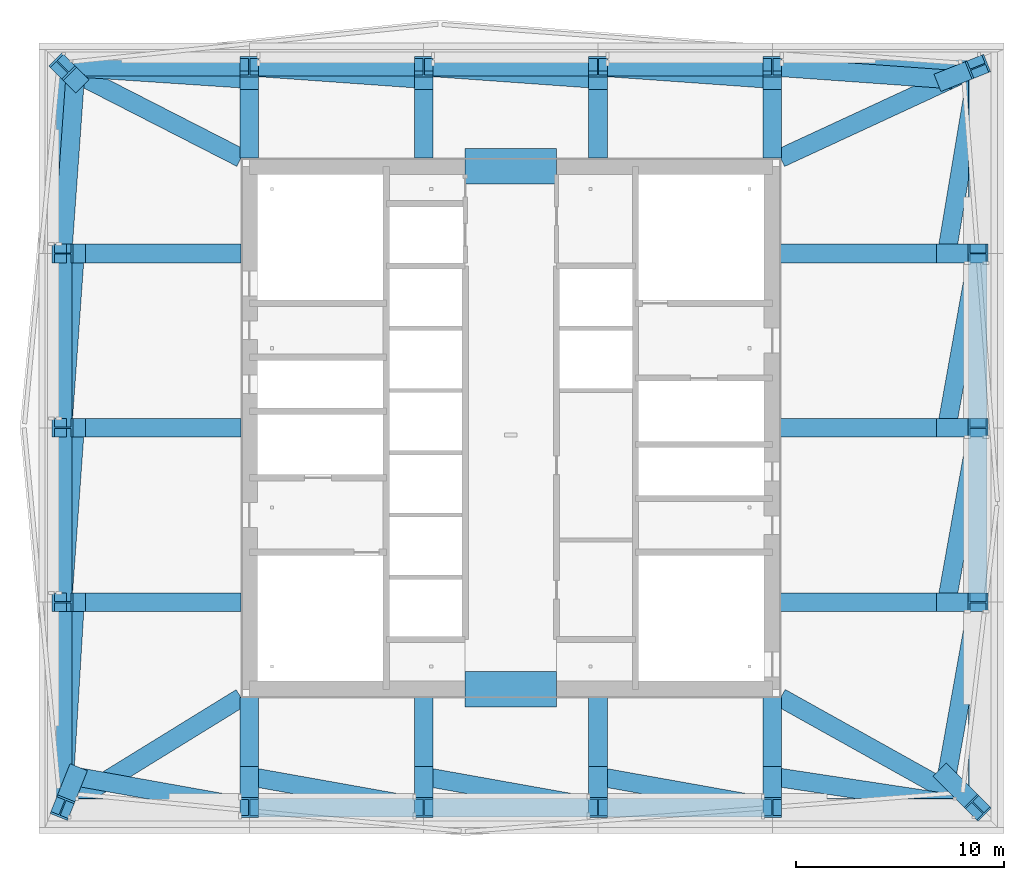
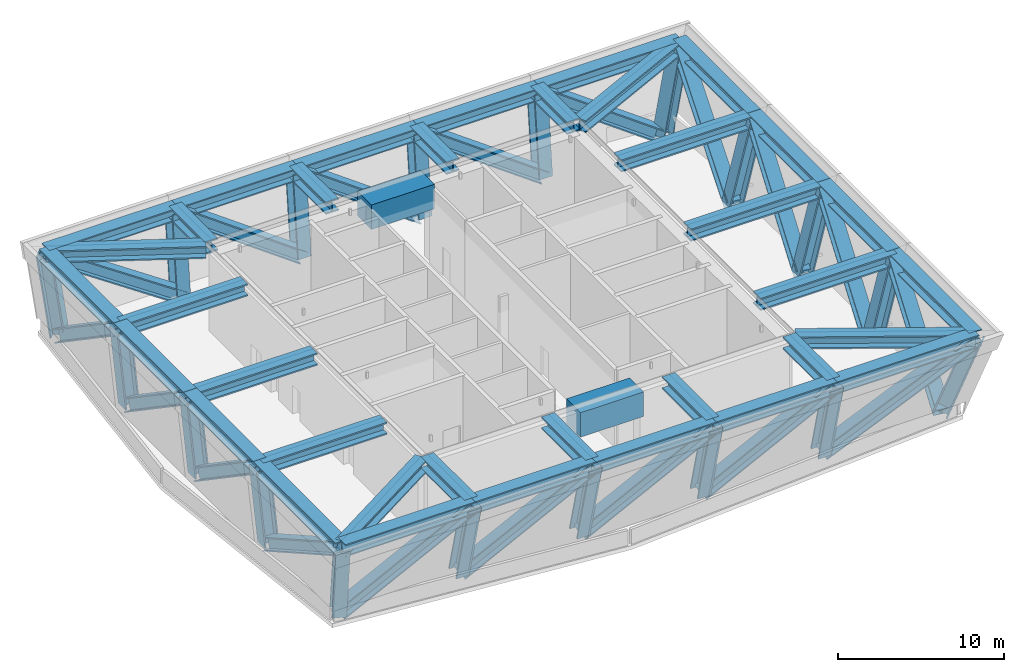
# One storey, part 1 of 7: 72 members, 2 beams.
"""IFC4 building model written with IfcOpenShell, lengths in metres."""

from ifc_helpers import new_model, si_unit, direction, frame, origin, origin_2d, place, context, subcontext, project, spatial, rectangle, i_section, extrude, material, material_profile, profile_set, type_object, element, save


model = new_model("IFC4")

# Units and contexts
model_context = context("Model", 3, precision=1e-05, world=origin(), true_north=direction((0.0, 1.0)))
body_context = subcontext(model_context, "Body", "Model", "MODEL_VIEW")
ifc_project = project(units=[si_unit("LENGTHUNIT", "METRE"), si_unit("AREAUNIT", "SQUARE_METRE"), si_unit("VOLUMEUNIT", "CUBIC_METRE"), si_unit("PLANEANGLEUNIT", "RADIAN"), si_unit("MASSUNIT", "GRAM", prefix="KILO")], contexts=[model_context])

# Site, building, storey
site_placement = place(None, origin())
site = spatial("IfcSite", under=ifc_project, at=site_placement, CompositionType="ELEMENT")
building_placement = place(site_placement, origin())
building = spatial("IfcBuilding", under=site, at=building_placement, Name="Rekha Terrace Tower", CompositionType="ELEMENT")
storey_placement = place(building_placement, frame((0.0, 0.0, 296.75)))
storey = spatial("IfcBuildingStorey", under=building, at=storey_placement, Name="L75", CompositionType="ELEMENT", Elevation=296.75)

# Members
ifc_material_1 = material(Name="Steel E350", Category="steel")
ifc_material_profile_1 = material_profile(ifc_material_1, i_section(OverallWidth=0.89990234375, OverallDepth=1.0, WebThickness=0.06005859375, FlangeThickness=0.10009765625, at=origin_2d()), Name="BU 1000x900x60x100")
ifc_profile_set_1 = profile_set([ifc_material_profile_1], Name="Steel E350")
member_type_1 = type_object("IfcMemberType", Name="CF1 BU 1000x900x60x100 crown frame raked post", PredefinedType="POST", material=ifc_profile_set_1)
member_1_placement = place(storey_placement, frame((16.800048828125, 25.199951171875, 0.0), z_axis=(-0.102043613134, 0.0, 0.994779925923), x_axis=(0.0, -1.0, 0.0)))
element("IfcMember", 1, at=member_1_placement, inside=storey, type_object=member_type_1, Name="Crown frame post 3D", PredefinedType="POST", context=body_context, shape_type="SweptSolid", body=[
    extrude(i_section(OverallWidth=0.89990234375, OverallDepth=1.0, WebThickness=0.06005859375, FlangeThickness=0.10009765625, at=origin_2d()), origin(), (0.0, 0.0, 1.0), 5.880859375),
])
member_2_placement = place(storey_placement, frame((16.800048828125, 16.800048828125, 0.0), z_axis=(-0.098877825023, -0.247154335616, 0.963917999679), x_axis=(0.928455845856, -0.371442784687, 0.0)))
element("IfcMember", 2, at=member_2_placement, inside=storey, type_object=member_type_1, Name="Crown frame post 3C", PredefinedType="POST", context=body_context, shape_type="SweptSolid", body=[
    extrude(i_section(OverallWidth=0.89990234375, OverallDepth=1.0, WebThickness=0.06005859375, FlangeThickness=0.10009765625, at=origin_2d()), origin(), (0.0, 0.0, 1.0), 6.069091796875),
])
for number, where, z_axis, x_axis, name in (
    (3, (25.199951171875, 16.800048828125, 0.0), (0.0, -0.248371459885, 0.96866486357), (1.0, 0.0, 0.0), "Crown frame post 4C"),
    (4, (33.60009765625, 16.800048828125, 0.0), (0.0, -0.248371459885, 0.96866486357), (1.0, 0.0, 0.0), "Crown frame post 5C"),
    (5, (42.0, 16.800048828125, 0.0), (0.0, -0.248371459885, 0.96866486357), (1.0, 0.0, 0.0), "Crown frame post 6C"),
    (6, (50.39990234375, 16.800048828125, 0.0), (0.0, -0.248371459885, 0.96866486357), (1.0, 0.0, 0.0), "Crown frame post 7C"),
):
    element("IfcMember", number, at=place(storey_placement, frame(where, z_axis=z_axis, x_axis=x_axis)), inside=storey, type_object=member_type_1, Name=name, PredefinedType="POST", context=body_context, shape_type="SweptSolid", body=[
        extrude(i_section(OverallWidth=0.89990234375, OverallDepth=1.0, WebThickness=0.06005859375, FlangeThickness=0.10009765625, at=origin_2d()), origin(), (0.0, 0.0, 1.0), 6.039306640625),
    ])
member_3_placement = place(storey_placement, frame((58.800048828125, 16.800048828125, 0.0), z_axis=(0.24104779192, -0.24104779192, 0.940102081702), x_axis=(0.707106781187, 0.707106781187, 0.0)))
element("IfcMember", 7, at=member_3_placement, inside=storey, type_object=member_type_1, Name="Crown frame post 8C", PredefinedType="POST", context=body_context, shape_type="SweptSolid", body=[
    extrude(i_section(OverallWidth=0.89990234375, OverallDepth=1.0, WebThickness=0.06005859375, FlangeThickness=0.10009765625, at=origin_2d()), origin(), (0.0, 0.0, 1.0), 6.222900390625),
])
for number, where, z_axis, x_axis, name in (
    (8, (58.800048828125, 25.199951171875, 0.0), (0.248371459885, 0.0, 0.96866486357), (0.0, 1.0, 0.0), "Crown frame post 8D"),
    (9, (58.800048828125, 33.60009765625, 0.0), (0.248371459885, 0.0, 0.96866486357), (0.0, 1.0, 0.0), "Crown frame post 8E"),
    (10, (58.800048828125, 42.0, 0.0), (0.248371459885, 0.0, 0.96866486357), (0.0, 1.0, 0.0), "Crown frame post 8F"),
):
    element("IfcMember", number, at=place(storey_placement, frame(where, z_axis=z_axis, x_axis=x_axis)), inside=storey, type_object=member_type_1, Name=name, PredefinedType="POST", context=body_context, shape_type="SweptSolid", body=[
        extrude(i_section(OverallWidth=0.89990234375, OverallDepth=1.0, WebThickness=0.06005859375, FlangeThickness=0.10009765625, at=origin_2d()), origin(), (0.0, 0.0, 1.0), 6.039306640625),
    ])
member_4_placement = place(storey_placement, frame((58.800048828125, 50.39990234375, 0.0), z_axis=(0.247154335616, 0.098877825023, 0.963917999679), x_axis=(-0.371442784687, 0.928455845856, 0.0)))
element("IfcMember", 11, at=member_4_placement, inside=storey, type_object=member_type_1, Name="Crown frame post 8G", PredefinedType="POST", context=body_context, shape_type="SweptSolid", body=[
    extrude(i_section(OverallWidth=0.89990234375, OverallDepth=1.0, WebThickness=0.06005859375, FlangeThickness=0.10009765625, at=origin_2d()), origin(), (0.0, 0.0, 1.0), 6.069091796875),
])
for number, where, z_axis, x_axis, name in (
    (12, (50.39990234375, 50.39990234375, 0.0), (0.0, 0.102043613134, 0.994779925923), (-1.0, 0.0, 0.0), "Crown frame post 7G"),
    (13, (42.0, 50.39990234375, 0.0), (0.0, 0.102043613134, 0.994779925923), (-1.0, 0.0, 0.0), "Crown frame post 6G"),
    (14, (33.60009765625, 50.39990234375, 0.0), (0.0, 0.102043613134, 0.994779925923), (-1.0, 0.0, 0.0), "Crown frame post 5G"),
    (15, (25.199951171875, 50.39990234375, 0.0), (0.0, 0.102043613134, 0.994779925923), (-1.0, 0.0, 0.0), "Crown frame post 4G"),
):
    element("IfcMember", number, at=place(storey_placement, frame(where, z_axis=z_axis, x_axis=x_axis)), inside=storey, type_object=member_type_1, Name=name, PredefinedType="POST", context=body_context, shape_type="SweptSolid", body=[
        extrude(i_section(OverallWidth=0.89990234375, OverallDepth=1.0, WebThickness=0.06005859375, FlangeThickness=0.10009765625, at=origin_2d()), origin(), (0.0, 0.0, 1.0), 5.880859375),
    ])
member_5_placement = place(storey_placement, frame((16.800048828125, 50.39990234375, 0.0), z_axis=(-0.1015164417, 0.1015164417, 0.989640755087), x_axis=(-0.707106781187, -0.707106781187, 0.0)))
element("IfcMember", 16, at=member_5_placement, inside=storey, type_object=member_type_1, Name="Crown frame post 3G", PredefinedType="POST", context=body_context, shape_type="SweptSolid", body=[
    extrude(i_section(OverallWidth=0.89990234375, OverallDepth=1.0, WebThickness=0.06005859375, FlangeThickness=0.10009765625, at=origin_2d()), origin(), (0.0, 0.0, 1.0), 5.911376953125),
])
for number, where, z_axis, x_axis, name in (
    (17, (16.800048828125, 42.0, 0.0), (-0.102043613134, 0.0, 0.994779925923), (0.0, -1.0, 0.0), "Crown frame post 3F"),
    (18, (16.800048828125, 33.60009765625, 0.0), (-0.102043613134, 0.0, 0.994779925923), (0.0, -1.0, 0.0), "Crown frame post 3E"),
):
    element("IfcMember", number, at=place(storey_placement, frame(where, z_axis=z_axis, x_axis=x_axis)), inside=storey, type_object=member_type_1, Name=name, PredefinedType="POST", context=body_context, shape_type="SweptSolid", body=[
        extrude(i_section(OverallWidth=0.89990234375, OverallDepth=1.0, WebThickness=0.06005859375, FlangeThickness=0.10009765625, at=origin_2d()), origin(), (0.0, 0.0, 1.0), 5.880859375),
    ])
ifc_material_profile_2 = material_profile(ifc_material_1, i_section(OverallWidth=0.89990234375, OverallDepth=0.89990234375, WebThickness=0.050048828125, FlangeThickness=0.080078125, at=origin_2d()), Name="BU 900x900x50x80")
ifc_profile_set_2 = profile_set([ifc_material_profile_2], Name="Steel E350")
member_type_2 = type_object("IfcMemberType", Name="CF2 BU 900x900x50x80 crown frame ring chord", PredefinedType="CHORD", material=ifc_profile_set_2)
member_6_placement = place(storey_placement, frame((16.199951171875, 25.199951171875, 5.85009765625), z_axis=(0.0, -1.0, 0.0), x_axis=(1.0, 0.0, 0.0)))
element("IfcMember", 19, at=member_6_placement, inside=storey, type_object=member_type_2, Name="Crown frame ring chord 3D-3C", PredefinedType="CHORD", context=body_context, shape_type="SweptSolid", body=[
    extrude(i_section(OverallWidth=0.89990234375, OverallDepth=0.89990234375, WebThickness=0.050048828125, FlangeThickness=0.080078125, at=origin_2d()), origin(), (0.0, 0.0, 1.0), 9.89990234375),
])
member_7_placement = place(storey_placement, frame((16.199951171875, 15.300048828125, 5.85009765625), z_axis=(1.0, 0.0, 0.0), x_axis=(0.0, 1.0, 0.0)))
element("IfcMember", 20, at=member_7_placement, inside=storey, type_object=member_type_2, Name="Crown frame ring chord 3C-4C", PredefinedType="CHORD", context=body_context, shape_type="SweptSolid", body=[
    extrude(i_section(OverallWidth=0.89990234375, OverallDepth=0.89990234375, WebThickness=0.050048828125, FlangeThickness=0.080078125, at=origin_2d()), origin(), (0.0, 0.0, 1.0), 9.0),
])
member_8_placement = place(storey_placement, frame((25.199951171875, 15.300048828125, 5.85009765625), z_axis=(1.0, 0.0, 0.0), x_axis=(0.0, 1.0, 0.0)))
element("IfcMember", 21, at=member_8_placement, inside=storey, type_object=member_type_2, Name="Crown frame ring chord 4C-5C", PredefinedType="CHORD", context=body_context, shape_type="SweptSolid", body=[
    extrude(i_section(OverallWidth=0.89990234375, OverallDepth=0.89990234375, WebThickness=0.050048828125, FlangeThickness=0.080078125, at=origin_2d()), origin(), (0.0, 0.0, 1.0), 8.400146484375),
])
for number, where, z_axis, x_axis, name in (
    (22, (33.60009765625, 15.300048828125, 5.85009765625), (1.0, 0.0, 0.0), (0.0, 1.0, 0.0), "Crown frame ring chord 5C-6C"),
    (23, (42.0, 15.300048828125, 5.85009765625), (1.0, 0.0, 0.0), (0.0, 1.0, 0.0), "Crown frame ring chord 6C-7C"),
):
    element("IfcMember", number, at=place(storey_placement, frame(where, z_axis=z_axis, x_axis=x_axis)), inside=storey, type_object=member_type_2, Name=name, PredefinedType="CHORD", context=body_context, shape_type="SweptSolid", body=[
        extrude(i_section(OverallWidth=0.89990234375, OverallDepth=0.89990234375, WebThickness=0.050048828125, FlangeThickness=0.080078125, at=origin_2d()), origin(), (0.0, 0.0, 1.0), 8.39990234375),
    ])
member_9_placement = place(storey_placement, frame((50.39990234375, 15.300048828125, 5.85009765625), z_axis=(1.0, 0.0, 0.0), x_axis=(0.0, 1.0, 0.0)))
element("IfcMember", 24, at=member_9_placement, inside=storey, type_object=member_type_2, Name="Crown frame ring chord 7C-8C", PredefinedType="CHORD", context=body_context, shape_type="SweptSolid", body=[
    extrude(i_section(OverallWidth=0.89990234375, OverallDepth=0.89990234375, WebThickness=0.050048828125, FlangeThickness=0.080078125, at=origin_2d()), origin(), (0.0, 0.0, 1.0), 9.900146484375),
])
member_10_placement = place(storey_placement, frame((60.300048828125, 15.300048828125, 5.85009765625), z_axis=(0.0, 1.0, 0.0), x_axis=(-1.0, 0.0, 0.0)))
element("IfcMember", 25, at=member_10_placement, inside=storey, type_object=member_type_2, Name="Crown frame ring chord 8C-8D", PredefinedType="CHORD", context=body_context, shape_type="SweptSolid", body=[
    extrude(i_section(OverallWidth=0.89990234375, OverallDepth=0.89990234375, WebThickness=0.050048828125, FlangeThickness=0.080078125, at=origin_2d()), origin(), (0.0, 0.0, 1.0), 9.89990234375),
])
member_11_placement = place(storey_placement, frame((60.300048828125, 25.199951171875, 5.85009765625), z_axis=(0.0, 1.0, 0.0), x_axis=(-1.0, 0.0, 0.0)))
element("IfcMember", 26, at=member_11_placement, inside=storey, type_object=member_type_2, Name="Crown frame ring chord 8D-8E", PredefinedType="CHORD", context=body_context, shape_type="SweptSolid", body=[
    extrude(i_section(OverallWidth=0.89990234375, OverallDepth=0.89990234375, WebThickness=0.050048828125, FlangeThickness=0.080078125, at=origin_2d()), origin(), (0.0, 0.0, 1.0), 8.400146484375),
])
member_12_placement = place(storey_placement, frame((60.300048828125, 33.60009765625, 5.85009765625), z_axis=(0.0, 1.0, 0.0), x_axis=(-1.0, 0.0, 0.0)))
element("IfcMember", 27, at=member_12_placement, inside=storey, type_object=member_type_2, Name="Crown frame ring chord 8E-8F", PredefinedType="CHORD", context=body_context, shape_type="SweptSolid", body=[
    extrude(i_section(OverallWidth=0.89990234375, OverallDepth=0.89990234375, WebThickness=0.050048828125, FlangeThickness=0.080078125, at=origin_2d()), origin(), (0.0, 0.0, 1.0), 8.39990234375),
])
member_13_placement = place(storey_placement, frame((60.300048828125, 42.0, 5.85009765625), z_axis=(0.0, 1.0, 0.0), x_axis=(-1.0, 0.0, 0.0)))
element("IfcMember", 28, at=member_13_placement, inside=storey, type_object=member_type_2, Name="Crown frame ring chord 8F-8G", PredefinedType="CHORD", context=body_context, shape_type="SweptSolid", body=[
    extrude(i_section(OverallWidth=0.89990234375, OverallDepth=0.89990234375, WebThickness=0.050048828125, FlangeThickness=0.080078125, at=origin_2d()), origin(), (0.0, 0.0, 1.0), 9.0),
])
member_14_placement = place(storey_placement, frame((60.300048828125, 51.0, 5.85009765625), z_axis=(-1.0, 0.0, 0.0), x_axis=(0.0, -1.0, 0.0)))
element("IfcMember", 29, at=member_14_placement, inside=storey, type_object=member_type_2, Name="Crown frame ring chord 8G-7G", PredefinedType="CHORD", context=body_context, shape_type="SweptSolid", body=[
    extrude(i_section(OverallWidth=0.89990234375, OverallDepth=0.89990234375, WebThickness=0.050048828125, FlangeThickness=0.080078125, at=origin_2d()), origin(), (0.0, 0.0, 1.0), 9.900146484375),
])
for number, where, z_axis, x_axis, name in (
    (30, (50.39990234375, 51.0, 5.85009765625), (-1.0, 0.0, 0.0), (0.0, -1.0, 0.0), "Crown frame ring chord 7G-6G"),
    (31, (42.0, 51.0, 5.85009765625), (-1.0, 0.0, 0.0), (0.0, -1.0, 0.0), "Crown frame ring chord 6G-5G"),
):
    element("IfcMember", number, at=place(storey_placement, frame(where, z_axis=z_axis, x_axis=x_axis)), inside=storey, type_object=member_type_2, Name=name, PredefinedType="CHORD", context=body_context, shape_type="SweptSolid", body=[
        extrude(i_section(OverallWidth=0.89990234375, OverallDepth=0.89990234375, WebThickness=0.050048828125, FlangeThickness=0.080078125, at=origin_2d()), origin(), (0.0, 0.0, 1.0), 8.39990234375),
    ])
member_15_placement = place(storey_placement, frame((33.60009765625, 51.0, 5.85009765625), z_axis=(-1.0, 0.0, 0.0), x_axis=(0.0, -1.0, 0.0)))
element("IfcMember", 32, at=member_15_placement, inside=storey, type_object=member_type_2, Name="Crown frame ring chord 5G-4G", PredefinedType="CHORD", context=body_context, shape_type="SweptSolid", body=[
    extrude(i_section(OverallWidth=0.89990234375, OverallDepth=0.89990234375, WebThickness=0.050048828125, FlangeThickness=0.080078125, at=origin_2d()), origin(), (0.0, 0.0, 1.0), 8.400146484375),
])
for number, where, z_axis, x_axis, name in (
    (33, (25.199951171875, 51.0, 5.85009765625), (-1.0, 0.0, 0.0), (0.0, -1.0, 0.0), "Crown frame ring chord 4G-3G"),
    (34, (16.199951171875, 51.0, 5.85009765625), (0.0, -1.0, 0.0), (1.0, 0.0, 0.0), "Crown frame ring chord 3G-3F"),
):
    element("IfcMember", number, at=place(storey_placement, frame(where, z_axis=z_axis, x_axis=x_axis)), inside=storey, type_object=member_type_2, Name=name, PredefinedType="CHORD", context=body_context, shape_type="SweptSolid", body=[
        extrude(i_section(OverallWidth=0.89990234375, OverallDepth=0.89990234375, WebThickness=0.050048828125, FlangeThickness=0.080078125, at=origin_2d()), origin(), (0.0, 0.0, 1.0), 9.0),
    ])
member_16_placement = place(storey_placement, frame((16.199951171875, 42.0, 5.85009765625), z_axis=(0.0, -1.0, 0.0), x_axis=(1.0, 0.0, 0.0)))
element("IfcMember", 35, at=member_16_placement, inside=storey, type_object=member_type_2, Name="Crown frame ring chord 3F-3E", PredefinedType="CHORD", context=body_context, shape_type="SweptSolid", body=[
    extrude(i_section(OverallWidth=0.89990234375, OverallDepth=0.89990234375, WebThickness=0.050048828125, FlangeThickness=0.080078125, at=origin_2d()), origin(), (0.0, 0.0, 1.0), 8.39990234375),
])
member_17_placement = place(storey_placement, frame((16.199951171875, 33.60009765625, 5.85009765625), z_axis=(0.0, -1.0, 0.0), x_axis=(1.0, 0.0, 0.0)))
element("IfcMember", 36, at=member_17_placement, inside=storey, type_object=member_type_2, Name="Crown frame ring chord 3E-3D", PredefinedType="CHORD", context=body_context, shape_type="SweptSolid", body=[
    extrude(i_section(OverallWidth=0.89990234375, OverallDepth=0.89990234375, WebThickness=0.050048828125, FlangeThickness=0.080078125, at=origin_2d()), origin(), (0.0, 0.0, 1.0), 8.400146484375),
])
ifc_material_profile_3 = material_profile(ifc_material_1, i_section(OverallWidth=0.89990234375, OverallDepth=0.89990234375, WebThickness=0.050048828125, FlangeThickness=0.080078125, at=origin_2d()), Name="BU 900x900x50x80")
ifc_profile_set_3 = profile_set([ifc_material_profile_3], Name="Steel E350")
member_type_3 = type_object("IfcMemberType", Name="CF3 BU 900x900x50x80 crown frame brace", PredefinedType="BRACE", material=ifc_profile_set_3)
member_18_placement = place(storey_placement, frame((16.800048828125, 25.199951171875, 0.0), z_axis=(-0.052115097483, -0.859750692815, 0.508047992632), x_axis=(0.998167865982, -0.060505465218, 0.0)))
element("IfcMember", 37, at=member_18_placement, inside=storey, type_object=member_type_3, Name="Crown frame brace 3D-3C", PredefinedType="BRACE", context=body_context, shape_type="SweptSolid", body=[
    extrude(i_section(OverallWidth=0.89990234375, OverallDepth=0.89990234375, WebThickness=0.050048828125, FlangeThickness=0.080078125, at=origin_2d()), origin(), (0.0, 0.0, 1.0), 11.514892578125),
])
member_19_placement = place(storey_placement, frame((16.800048828125, 16.800048828125, 0.0), z_axis=(0.811927801842, -0.144988793074, 0.565465732365), x_axis=(0.175792619048, 0.984427221834, 0.0)))
element("IfcMember", 38, at=member_19_placement, inside=storey, type_object=member_type_3, Name="Crown frame brace 3C-4C", PredefinedType="BRACE", context=body_context, shape_type="SweptSolid", body=[
    extrude(i_section(OverallWidth=0.89990234375, OverallDepth=0.89990234375, WebThickness=0.050048828125, FlangeThickness=0.080078125, at=origin_2d()), origin(), (0.0, 0.0, 1.0), 10.345703125),
])
member_20_placement = place(storey_placement, frame((25.199951171875, 16.800048828125, 0.0), z_axis=(0.811935843327, -0.144986015096, 0.565454898067), x_axis=(0.17578766772, 0.984428105997, 0.0)))
element("IfcMember", 39, at=member_20_placement, inside=storey, type_object=member_type_3, Name="Crown frame brace 4C-5C", PredefinedType="BRACE", context=body_context, shape_type="SweptSolid", body=[
    extrude(i_section(OverallWidth=0.89990234375, OverallDepth=0.89990234375, WebThickness=0.050048828125, FlangeThickness=0.080078125, at=origin_2d()), origin(), (0.0, 0.0, 1.0), 10.345947265625),
])
for number, where, z_axis, x_axis, name in (
    (40, (33.60009765625, 16.800048828125, 0.0), (0.811927801842, -0.144988793074, 0.565465732365), (0.175792619048, 0.984427221834, 0.0), "Crown frame brace 5C-6C"),
    (41, (42.0, 16.800048828125, 0.0), (0.811927801842, -0.144988793074, 0.565465732365), (0.175792619048, 0.984427221834, 0.0), "Crown frame brace 6C-7C"),
):
    element("IfcMember", number, at=place(storey_placement, frame(where, z_axis=z_axis, x_axis=x_axis)), inside=storey, type_object=member_type_3, Name=name, PredefinedType="BRACE", context=body_context, shape_type="SweptSolid", body=[
        extrude(i_section(OverallWidth=0.89990234375, OverallDepth=0.89990234375, WebThickness=0.050048828125, FlangeThickness=0.080078125, at=origin_2d()), origin(), (0.0, 0.0, 1.0), 10.345703125),
    ])
member_21_placement = place(storey_placement, frame((50.39990234375, 16.800048828125, 0.0), z_axis=(0.853693953609, -0.129345654878, 0.504456474967), x_axis=(0.149803212622, 0.988715832526, 0.0)))
element("IfcMember", 42, at=member_21_placement, inside=storey, type_object=member_type_3, Name="Crown frame brace 7C-8C", PredefinedType="BRACE", context=body_context, shape_type="SweptSolid", body=[
    extrude(i_section(OverallWidth=0.89990234375, OverallDepth=0.89990234375, WebThickness=0.050048828125, FlangeThickness=0.080078125, at=origin_2d()), origin(), (0.0, 0.0, 1.0), 11.596923828125),
])
member_22_placement = place(storey_placement, frame((58.800048828125, 16.800048828125, 0.0), z_axis=(0.144988793074, 0.811927801842, 0.565465732365), x_axis=(-0.984427221834, 0.175792619048, 0.0)))
element("IfcMember", 43, at=member_22_placement, inside=storey, type_object=member_type_3, Name="Crown frame brace 8C-8D", PredefinedType="BRACE", context=body_context, shape_type="SweptSolid", body=[
    extrude(i_section(OverallWidth=0.89990234375, OverallDepth=0.89990234375, WebThickness=0.050048828125, FlangeThickness=0.080078125, at=origin_2d()), origin(), (0.0, 0.0, 1.0), 10.345703125),
])
member_23_placement = place(storey_placement, frame((58.800048828125, 25.199951171875, 0.0), z_axis=(0.144986015096, 0.811935843327, 0.565454898067), x_axis=(-0.984428105997, 0.17578766772, 0.0)))
element("IfcMember", 44, at=member_23_placement, inside=storey, type_object=member_type_3, Name="Crown frame brace 8D-8E", PredefinedType="BRACE", context=body_context, shape_type="SweptSolid", body=[
    extrude(i_section(OverallWidth=0.89990234375, OverallDepth=0.89990234375, WebThickness=0.050048828125, FlangeThickness=0.080078125, at=origin_2d()), origin(), (0.0, 0.0, 1.0), 10.345947265625),
])
member_24_placement = place(storey_placement, frame((58.800048828125, 33.60009765625, 0.0), z_axis=(0.144988793074, 0.811927801842, 0.565465732365), x_axis=(-0.984427221834, 0.175792619048, 0.0)))
element("IfcMember", 45, at=member_24_placement, inside=storey, type_object=member_type_3, Name="Crown frame brace 8E-8F", PredefinedType="BRACE", context=body_context, shape_type="SweptSolid", body=[
    extrude(i_section(OverallWidth=0.89990234375, OverallDepth=0.89990234375, WebThickness=0.050048828125, FlangeThickness=0.080078125, at=origin_2d()), origin(), (0.0, 0.0, 1.0), 10.345703125),
])
member_25_placement = place(storey_placement, frame((58.800048828125, 42.0, 0.0), z_axis=(0.138395204371, 0.830371226223, 0.539750307149), x_axis=(-0.986393923832, 0.164398987305, 0.0)))
element("IfcMember", 46, at=member_25_placement, inside=storey, type_object=member_type_3, Name="Crown frame brace 8F-8G", PredefinedType="BRACE", context=body_context, shape_type="SweptSolid", body=[
    extrude(i_section(OverallWidth=0.89990234375, OverallDepth=0.89990234375, WebThickness=0.050048828125, FlangeThickness=0.080078125, at=origin_2d()), origin(), (0.0, 0.0, 1.0), 10.838623046875),
])
member_26_placement = place(storey_placement, frame((58.800048828125, 50.39990234375, 0.0), z_axis=(-0.819200154866, 0.058522800031, 0.570513968404), x_axis=(-0.071257350989, -0.997457963991, 0.0)))
element("IfcMember", 47, at=member_26_placement, inside=storey, type_object=member_type_3, Name="Crown frame brace 8G-7G", PredefinedType="BRACE", context=body_context, shape_type="SweptSolid", body=[
    extrude(i_section(OverallWidth=0.89990234375, OverallDepth=0.89990234375, WebThickness=0.050048828125, FlangeThickness=0.080078125, at=origin_2d()), origin(), (0.0, 0.0, 1.0), 10.254150390625),
])
for number, where, z_axis, x_axis, name in (
    (48, (50.39990234375, 50.39990234375, 0.0), (-0.819192323555, 0.058523941501, 0.570525096118), (-0.071259411546, -0.997457816785, 0.0), "Crown frame brace 7G-6G"),
    (49, (42.0, 50.39990234375, 0.0), (-0.819192323555, 0.058523941501, 0.570525096118), (-0.071259411546, -0.997457816785, 0.0), "Crown frame brace 6G-5G"),
):
    element("IfcMember", number, at=place(storey_placement, frame(where, z_axis=z_axis, x_axis=x_axis)), inside=storey, type_object=member_type_3, Name=name, PredefinedType="BRACE", context=body_context, shape_type="SweptSolid", body=[
        extrude(i_section(OverallWidth=0.89990234375, OverallDepth=0.89990234375, WebThickness=0.050048828125, FlangeThickness=0.080078125, at=origin_2d()), origin(), (0.0, 0.0, 1.0), 10.25390625),
    ])
member_27_placement = place(storey_placement, frame((33.60009765625, 50.39990234375, 0.0), z_axis=(-0.819200154866, 0.058522800031, 0.570513968404), x_axis=(-0.071257350989, -0.997457963991, 0.0)))
element("IfcMember", 50, at=member_27_placement, inside=storey, type_object=member_type_3, Name="Crown frame brace 5G-4G", PredefinedType="BRACE", context=body_context, shape_type="SweptSolid", body=[
    extrude(i_section(OverallWidth=0.89990234375, OverallDepth=0.89990234375, WebThickness=0.050048828125, FlangeThickness=0.080078125, at=origin_2d()), origin(), (0.0, 0.0, 1.0), 10.254150390625),
])
member_28_placement = place(storey_placement, frame((25.199951171875, 50.39990234375, 0.0), z_axis=(-0.837132303152, 0.055817903677, 0.544145080515), x_axis=(-0.066529789268, -0.997784439215, 0.0)))
element("IfcMember", 51, at=member_28_placement, inside=storey, type_object=member_type_3, Name="Crown frame brace 4G-3G", PredefinedType="BRACE", context=body_context, shape_type="SweptSolid", body=[
    extrude(i_section(OverallWidth=0.89990234375, OverallDepth=0.89990234375, WebThickness=0.050048828125, FlangeThickness=0.080078125, at=origin_2d()), origin(), (0.0, 0.0, 1.0), 10.7509765625),
])
for number, where, z_axis, x_axis, name in (
    (52, (16.800048828125, 50.39990234375, 0.0), (-0.058523941501, -0.819192323555, 0.570525096118), (0.997457816785, -0.071259411546, 0.0), "Crown frame brace 3G-3F"),
    (53, (16.800048828125, 42.0, 0.0), (-0.058523941501, -0.819192323555, 0.570525096118), (0.997457816785, -0.071259411546, 0.0), "Crown frame brace 3F-3E"),
):
    element("IfcMember", number, at=place(storey_placement, frame(where, z_axis=z_axis, x_axis=x_axis)), inside=storey, type_object=member_type_3, Name=name, PredefinedType="BRACE", context=body_context, shape_type="SweptSolid", body=[
        extrude(i_section(OverallWidth=0.89990234375, OverallDepth=0.89990234375, WebThickness=0.050048828125, FlangeThickness=0.080078125, at=origin_2d()), origin(), (0.0, 0.0, 1.0), 10.25390625),
    ])
member_29_placement = place(storey_placement, frame((16.800048828125, 33.60009765625, 0.0), z_axis=(-0.058522800031, -0.819200154866, 0.570513968404), x_axis=(0.997457963991, -0.071257350989, 0.0)))
element("IfcMember", 54, at=member_29_placement, inside=storey, type_object=member_type_3, Name="Crown frame brace 3E-3D", PredefinedType="BRACE", context=body_context, shape_type="SweptSolid", body=[
    extrude(i_section(OverallWidth=0.89990234375, OverallDepth=0.89990234375, WebThickness=0.050048828125, FlangeThickness=0.080078125, at=origin_2d()), origin(), (0.0, 0.0, 1.0), 10.254150390625),
])
ifc_material_profile_4 = material_profile(ifc_material_1, i_section(OverallWidth=0.89990234375, OverallDepth=0.89990234375, WebThickness=0.06005859375, FlangeThickness=0.10009765625, at=origin_2d()), Name="BU 900x900x60x100")
ifc_profile_set_4 = profile_set([ifc_material_profile_4], Name="Steel E350")
member_type_4 = type_object("IfcMemberType", Name="CF4 BU 900x900x60x100 crown frame tie", PredefinedType="STRUT", material=ifc_profile_set_4)
member_30_placement = place(storey_placement, frame((16.199951171875, 25.199951171875, 5.85009765625), z_axis=(1.0, 0.0, 0.0), x_axis=(0.0, 1.0, 0.0)))
element("IfcMember", 55, at=member_30_placement, inside=storey, type_object=member_type_4, Name="Crown frame tie 3D", PredefinedType="STRUT", context=body_context, shape_type="SweptSolid", body=[
    extrude(i_section(OverallWidth=0.89990234375, OverallDepth=0.89990234375, WebThickness=0.06005859375, FlangeThickness=0.10009765625, at=origin_2d()), origin(), (0.0, 0.0, 1.0), 8.60009765625),
])
member_31_placement = place(storey_placement, frame((16.199951171875, 15.300048828125, 5.85009765625), z_axis=(0.851318758144, 0.524648808282, 0.0), x_axis=(-0.524648808282, 0.851318758144, 0.0)))
element("IfcMember", 56, at=member_31_placement, inside=storey, type_object=member_type_4, Name="Crown frame tie 3C", PredefinedType="STRUT", context=body_context, shape_type="SweptSolid", body=[
    extrude(i_section(OverallWidth=0.89990234375, OverallDepth=0.89990234375, WebThickness=0.06005859375, FlangeThickness=0.10009765625, at=origin_2d()), origin(), (0.0, 0.0, 1.0), 10.10205078125),
])
for number, where, z_axis, x_axis, name in (
    (57, (25.199951171875, 15.300048828125, 5.85009765625), (0.0, 1.0, 0.0), (-1.0, 0.0, 0.0), "Crown frame tie 4C"),
    (58, (33.60009765625, 15.300048828125, 5.85009765625), (0.0, 1.0, 0.0), (-1.0, 0.0, 0.0), "Crown frame tie 5C"),
    (59, (42.0, 15.300048828125, 5.85009765625), (0.0, 1.0, 0.0), (-1.0, 0.0, 0.0), "Crown frame tie 6C"),
    (60, (50.39990234375, 15.300048828125, 5.85009765625), (0.0, 1.0, 0.0), (-1.0, 0.0, 0.0), "Crown frame tie 7C"),
):
    element("IfcMember", number, at=place(storey_placement, frame(where, z_axis=z_axis, x_axis=x_axis)), inside=storey, type_object=member_type_4, Name=name, PredefinedType="STRUT", context=body_context, shape_type="SweptSolid", body=[
        extrude(i_section(OverallWidth=0.89990234375, OverallDepth=0.89990234375, WebThickness=0.06005859375, FlangeThickness=0.10009765625, at=origin_2d()), origin(), (0.0, 0.0, 1.0), 5.300048828125),
    ])
member_32_placement = place(storey_placement, frame((60.300048828125, 15.300048828125, 5.85009765625), z_axis=(-0.873286754509, 0.487206572616, 0.0), x_axis=(-0.487206572616, -0.873286754509, 0.0)))
element("IfcMember", 61, at=member_32_placement, inside=storey, type_object=member_type_4, Name="Crown frame tie 8C", PredefinedType="STRUT", context=body_context, shape_type="SweptSolid", body=[
    extrude(i_section(OverallWidth=0.89990234375, OverallDepth=0.89990234375, WebThickness=0.06005859375, FlangeThickness=0.10009765625, at=origin_2d()), origin(), (0.0, 0.0, 1.0), 10.87841796875),
])
for number, where, z_axis, x_axis, name in (
    (62, (60.300048828125, 25.199951171875, 5.85009765625), (-1.0, 0.0, 0.0), (0.0, -1.0, 0.0), "Crown frame tie 8D"),
    (63, (60.300048828125, 33.60009765625, 5.85009765625), (-1.0, 0.0, 0.0), (0.0, -1.0, 0.0), "Crown frame tie 8E"),
    (64, (60.300048828125, 42.0, 5.85009765625), (-1.0, 0.0, 0.0), (0.0, -1.0, 0.0), "Crown frame tie 8F"),
):
    element("IfcMember", number, at=place(storey_placement, frame(where, z_axis=z_axis, x_axis=x_axis)), inside=storey, type_object=member_type_4, Name=name, PredefinedType="STRUT", context=body_context, shape_type="SweptSolid", body=[
        extrude(i_section(OverallWidth=0.89990234375, OverallDepth=0.89990234375, WebThickness=0.06005859375, FlangeThickness=0.10009765625, at=origin_2d()), origin(), (0.0, 0.0, 1.0), 9.5),
    ])
member_33_placement = place(storey_placement, frame((60.300048828125, 51.0, 5.85009765625), z_axis=(-0.907403016988, -0.420261543281, 0.0), x_axis=(0.420261543281, -0.907403016988, 0.0)))
element("IfcMember", 65, at=member_33_placement, inside=storey, type_object=member_type_4, Name="Crown frame tie 8G", PredefinedType="STRUT", context=body_context, shape_type="SweptSolid", body=[
    extrude(i_section(OverallWidth=0.89990234375, OverallDepth=0.89990234375, WebThickness=0.06005859375, FlangeThickness=0.10009765625, at=origin_2d()), origin(), (0.0, 0.0, 1.0), 10.469482421875),
])
for number, where, z_axis, x_axis, name in (
    (66, (50.39990234375, 51.0, 5.85009765625), (0.0, -1.0, 0.0), (1.0, 0.0, 0.0), "Crown frame tie 7G"),
    (67, (42.0, 51.0, 5.85009765625), (0.0, -1.0, 0.0), (1.0, 0.0, 0.0), "Crown frame tie 6G"),
    (68, (33.60009765625, 51.0, 5.85009765625), (0.0, -1.0, 0.0), (1.0, 0.0, 0.0), "Crown frame tie 5G"),
    (69, (25.199951171875, 51.0, 5.85009765625), (0.0, -1.0, 0.0), (1.0, 0.0, 0.0), "Crown frame tie 4G"),
):
    element("IfcMember", number, at=place(storey_placement, frame(where, z_axis=z_axis, x_axis=x_axis)), inside=storey, type_object=member_type_4, Name=name, PredefinedType="STRUT", context=body_context, shape_type="SweptSolid", body=[
        extrude(i_section(OverallWidth=0.89990234375, OverallDepth=0.89990234375, WebThickness=0.06005859375, FlangeThickness=0.10009765625, at=origin_2d()), origin(), (0.0, 0.0, 1.0), 4.39990234375),
    ])
member_34_placement = place(storey_placement, frame((16.199951171875, 51.0, 5.85009765625), z_axis=(0.89025435919, -0.455463693332, 0.0), x_axis=(0.455463693332, 0.89025435919, 0.0)))
element("IfcMember", 70, at=member_34_placement, inside=storey, type_object=member_type_4, Name="Crown frame tie 3G", PredefinedType="STRUT", context=body_context, shape_type="SweptSolid", body=[
    extrude(i_section(OverallWidth=0.89990234375, OverallDepth=0.89990234375, WebThickness=0.06005859375, FlangeThickness=0.10009765625, at=origin_2d()), origin(), (0.0, 0.0, 1.0), 9.66015625),
])
for number, where, z_axis, x_axis, name in (
    (71, (16.199951171875, 42.0, 5.85009765625), (1.0, 0.0, 0.0), (0.0, 1.0, 0.0), "Crown frame tie 3F"),
    (72, (16.199951171875, 33.60009765625, 5.85009765625), (1.0, 0.0, 0.0), (0.0, 1.0, 0.0), "Crown frame tie 3E"),
):
    element("IfcMember", number, at=place(storey_placement, frame(where, z_axis=z_axis, x_axis=x_axis)), inside=storey, type_object=member_type_4, Name=name, PredefinedType="STRUT", context=body_context, shape_type="SweptSolid", body=[
        extrude(i_section(OverallWidth=0.89990234375, OverallDepth=0.89990234375, WebThickness=0.06005859375, FlangeThickness=0.10009765625, at=origin_2d()), origin(), (0.0, 0.0, 1.0), 8.60009765625),
    ])

# Beams
ifc_material_2 = material(Name="Concrete M60", Category="concrete")
ifc_material_profile_5 = material_profile(ifc_material_2, rectangle(XDim=1.699951171875, YDim=1.800048828125, at=origin_2d()), Name="RC 1700x1800")
ifc_profile_set_5 = profile_set([ifc_material_profile_5], Name="Concrete M60")
beam_type = type_object("IfcBeamType", Name="LB5B 1700x1800 diagonally reinforced coupling beam", PredefinedType="LINTEL", material=ifc_profile_set_5)
for number, where, z_axis, x_axis, name in (
    (73, (35.60009765625, 21.0, 5.10009765625), (1.0, 0.0, 0.0), (0.0, 1.0, 0.0), "Coupling beam LB5B S L75"),
    (74, (35.60009765625, 46.199951171875, 5.10009765625), (1.0, 0.0, 0.0), (0.0, 1.0, 0.0), "Coupling beam LB5B N L75"),
):
    element("IfcBeam", number, at=place(storey_placement, frame(where, z_axis=z_axis, x_axis=x_axis)), inside=storey, type_object=beam_type, Name=name, PredefinedType="LINTEL", context=body_context, shape_type="SweptSolid", body=[
        extrude(rectangle(XDim=1.699951171875, YDim=1.800048828125, at=origin_2d()), origin(), (0.0, 0.0, 1.0), 4.39990234375),
    ])

save(model, "model.ifc")
